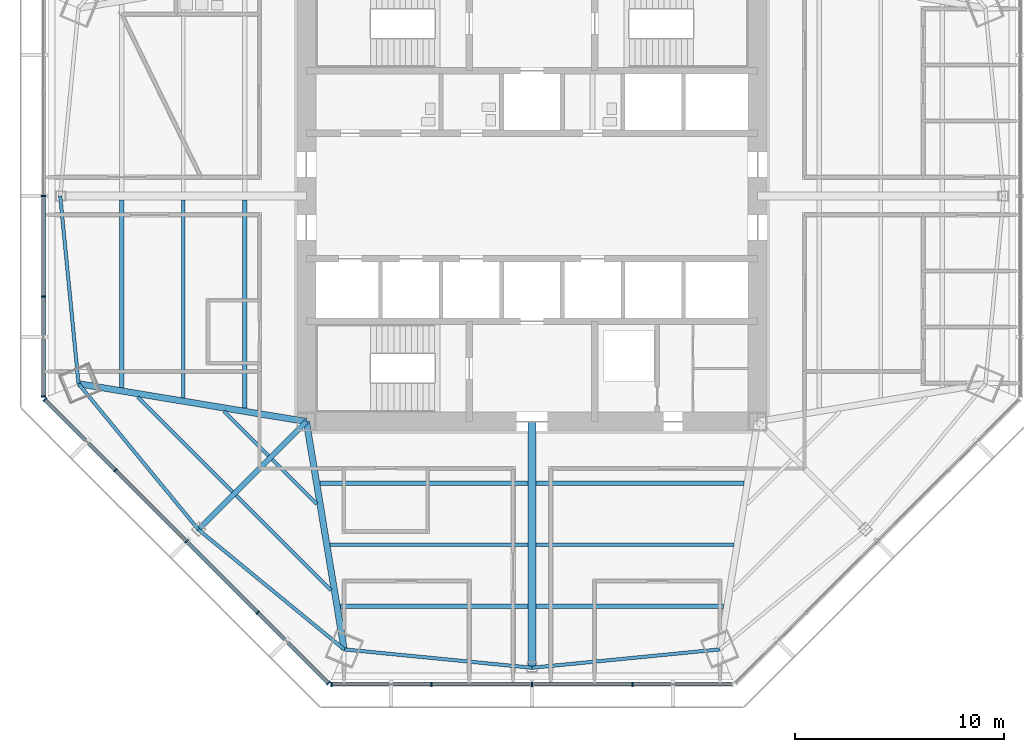
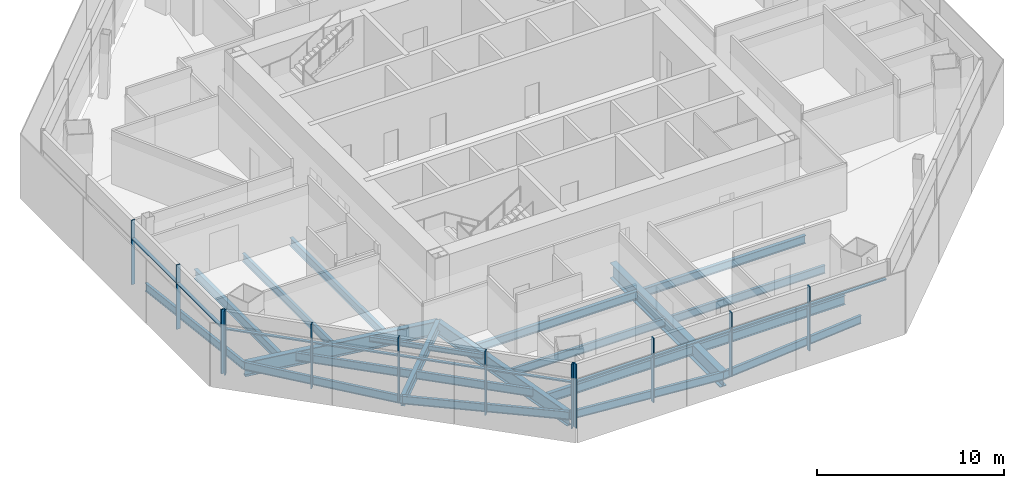
# One storey, part 2 of 15: 22 beams, 22 members, 3 elements without a shape of their own.
"""IFC4 building model written with IfcOpenShell, lengths in metres."""

from ifc_helpers import new_model, si_unit, direction, frame, origin, origin_2d, place, context, subcontext, project, spatial, rectangle, i_section, extrude, source, transform, mapped, material, material_profile, profile_set, type_object, type_shapes, element, aggregate, save


model = new_model("IFC4")

# Units and contexts
model_context = context("Model", 3, precision=1e-05, world=origin(), true_north=direction((0.0, 1.0)))
body_context = subcontext(model_context, "Body", "Model", "MODEL_VIEW")
ifc_project = project(units=[si_unit("LENGTHUNIT", "METRE"), si_unit("AREAUNIT", "SQUARE_METRE"), si_unit("VOLUMEUNIT", "CUBIC_METRE"), si_unit("PLANEANGLEUNIT", "RADIAN"), si_unit("MASSUNIT", "GRAM", prefix="KILO")], contexts=[model_context])

# Site, building, storey
site_placement = place(None, origin())
site = spatial("IfcSite", under=ifc_project, at=site_placement, CompositionType="ELEMENT")
building_placement = place(site_placement, origin())
building = spatial("IfcBuilding", under=site, at=building_placement, Name="Mashrafa Tower", CompositionType="ELEMENT")
storey_placement = place(building_placement, frame((0.0, 0.0, 163.800048828125)))
storey = spatial("IfcBuildingStorey", under=building, at=storey_placement, Name="L37", CompositionType="ELEMENT", Elevation=163.800048828125)

# Beams
ifc_material_1 = material(Name="Steel ASTM A992", Category="steel")
ifc_material_profile_1 = material_profile(ifc_material_1, i_section(OverallWidth=0.164794921875, OverallDepth=0.309814453125, WebThickness=0.005859375, FlangeThickness=0.009765625, FilletRadius=0.007568359375, at=origin_2d()), Name="W12X26")
ifc_profile_set_1 = profile_set([ifc_material_profile_1], Name="Steel ASTM A992")
beam_type_1 = type_object("IfcBeamType", Name="Beam W12X26", PredefinedType="BEAM", material=ifc_profile_set_1)
for number, where, z_axis, x_axis, name in (
    (1, (-12.6142578125, -12.432861328125, -0.320068359375), (-0.707066279037, 0.707147281016, 0.0), (-0.707147281016, -0.707066279037, 0.0), "Floor beam L37 011"),
    (2, (-10.301513671875, -14.745361328125, -0.320068359375), (-0.707147281016, 0.707066279037, 0.0), (-0.707066279037, -0.707147281016, 0.0), "Floor beam L37 014"),
):
    element("IfcBeam", number, at=place(storey_placement, frame(where, z_axis=z_axis, x_axis=x_axis)), inside=storey, type_object=beam_type_1, Name=name, PredefinedType="BEAM", context=body_context, shape_type="SweptSolid", body=[
        extrude(i_section(OverallWidth=0.164794921875, OverallDepth=0.309814453125, WebThickness=0.005859375, FlangeThickness=0.009765625, FilletRadius=0.007568359375, at=origin_2d()), origin(), (0.0, 0.0, 1.0), 3.013916015625),
    ])
ifc_material_2 = material(Name="Steel ASTM A992", Category="steel")
ifc_material_profile_2 = material_profile(ifc_material_2, i_section(OverallWidth=0.1650390625, OverallDepth=0.52587890625, WebThickness=0.0087890625, FlangeThickness=0.011474609375, FilletRadius=0.0126953125, at=origin_2d()), Name="W21X44")
ifc_profile_set_2 = profile_set([ifc_material_profile_2], Name="Steel ASTM A992")
beam_type_2 = type_object("IfcBeamType", Name="Beam W21X44", PredefinedType="BEAM", material=ifc_profile_set_2)
for number, where, z_axis, x_axis, name in (
    (3, (-14.337646484375, -14.15625, -0.427978515625), (-0.707106781187, 0.707106781187, 0.0), (-0.707106781187, -0.707106781187, 0.0), "Floor beam L37 007"),
    (4, (-9.616455078125, -18.87744140625, -0.427978515625), (-0.707106781187, 0.707106781187, 0.0), (-0.707106781187, -0.707106781187, 0.0), "Floor beam L37 016"),
):
    element("IfcBeam", number, at=place(storey_placement, frame(where, z_axis=z_axis, x_axis=x_axis)), inside=storey, type_object=beam_type_2, Name=name, PredefinedType="BEAM", context=body_context, shape_type="SweptSolid", body=[
        extrude(i_section(OverallWidth=0.1650390625, OverallDepth=0.52587890625, WebThickness=0.0087890625, FlangeThickness=0.011474609375, FilletRadius=0.0126953125, at=origin_2d()), origin(), (0.0, 0.0, 1.0), 6.420166015625),
    ])
beam_1_placement = place(storey_placement, frame((-22.585693359375, 0.0, -0.427978515625), z_axis=(0.097205081582, -0.995264372976, 0.0), x_axis=(0.995264372976, 0.097205081582, 0.0)))
element("IfcBeam", 5, at=beam_1_placement, inside=storey, type_object=beam_type_2, Name="Spandrel beam L37 057", PredefinedType="BEAM", context=body_context, shape_type="SweptSolid", body=[
    extrude(i_section(OverallWidth=0.1650390625, OverallDepth=0.52587890625, WebThickness=0.0087890625, FlangeThickness=0.011474609375, FilletRadius=0.0126953125, at=origin_2d()), origin(), (0.0, 0.0, 1.0), 9.0341796875),
])
for number, where, z_axis, x_axis, name in (
    (6, (-21.70751953125, -8.991455078125, -0.427978515625), (0.63502406297, -0.772492355592, 0.0), (0.772492355592, 0.63502406297, 0.0), "Spandrel beam L37 058"),
    (7, (-15.970458984375, -15.970458984375, -0.427978515625), (0.772492355592, -0.63502406297, 0.0), (0.63502406297, 0.772492355592, 0.0), "Spandrel beam L37 060"),
):
    element("IfcBeam", number, at=place(storey_placement, frame(where, z_axis=z_axis, x_axis=x_axis)), inside=storey, type_object=beam_type_2, Name=name, PredefinedType="BEAM", context=body_context, shape_type="SweptSolid", body=[
        extrude(i_section(OverallWidth=0.1650390625, OverallDepth=0.52587890625, WebThickness=0.0087890625, FlangeThickness=0.011474609375, FilletRadius=0.0126953125, at=origin_2d()), origin(), (0.0, 0.0, 1.0), 9.034423828125),
    ])
for number, where, z_axis, x_axis, name in (
    (8, (-8.991455078125, -21.70751953125, -0.427978515625), (0.995264372976, -0.097205081582, 0.0), (0.097205081582, 0.995264372976, 0.0), "Spandrel beam L37 062"),
    (9, (0.0, -22.585693359375, -0.427978515625), (0.995264372976, 0.097205081582, 0.0), (-0.097205081582, 0.995264372976, 0.0), "Spandrel beam L37 064"),
):
    element("IfcBeam", number, at=place(storey_placement, frame(where, z_axis=z_axis, x_axis=x_axis)), inside=storey, type_object=beam_type_2, Name=name, PredefinedType="BEAM", context=body_context, shape_type="SweptSolid", body=[
        extrude(i_section(OverallWidth=0.1650390625, OverallDepth=0.52587890625, WebThickness=0.0087890625, FlangeThickness=0.011474609375, FilletRadius=0.0126953125, at=origin_2d()), origin(), (0.0, 0.0, 1.0), 9.0341796875),
    ])
ifc_material_3 = material(Name="Steel ASTM A992", Category="steel")
ifc_material_profile_3 = material_profile(ifc_material_3, i_section(OverallWidth=0.165771484375, OverallDepth=0.5283203125, WebThickness=0.009765625, FlangeThickness=0.013671875, FilletRadius=0.012939453125, at=origin_2d()), Name="W21X50")
ifc_profile_set_3 = profile_set([ifc_material_profile_3], Name="Steel ASTM A992")
beam_type_3 = type_object("IfcBeamType", Name="Beam W21X50", PredefinedType="BEAM", material=ifc_profile_set_3)
for number, where, z_axis, x_axis, name in (
    (10, (-16.69287109375, -9.6669921875, -0.42919921875), (0.0, 1.0, 0.0), (-1.0, 0.0, 0.0), "Floor beam L37 004"),
    (11, (-0.20068359375, -16.69287109375, -0.42919921875), (-1.0, 0.0, 0.0), (0.0, -1.0, 0.0), "Floor beam L37 019"),
    (12, (9.6669921875, -16.69287109375, -0.42919921875), (-1.0, 0.0, 0.0), (0.0, -1.0, 0.0), "Floor beam L37 026"),
):
    element("IfcBeam", number, at=place(storey_placement, frame(where, z_axis=z_axis, x_axis=x_axis)), inside=storey, type_object=beam_type_3, Name=name, PredefinedType="BEAM", context=body_context, shape_type="SweptSolid", body=[
        extrude(i_section(OverallWidth=0.165771484375, OverallDepth=0.5283203125, WebThickness=0.009765625, FlangeThickness=0.013671875, FilletRadius=0.012939453125, at=origin_2d()), origin(), (0.0, 0.0, 1.0), 9.46630859375),
    ])
ifc_material_4 = material(Name="Steel ASTM A992", Category="steel")
ifc_material_profile_4 = material_profile(ifc_material_4, i_section(OverallWidth=0.209228515625, OverallDepth=0.533447265625, WebThickness=0.01025390625, FlangeThickness=0.015625, FilletRadius=0.012939453125, at=origin_2d()), Name="W21X62")
ifc_profile_set_4 = profile_set([ifc_material_profile_4], Name="Steel ASTM A992")
beam_type_4 = type_object("IfcBeamType", Name="Beam W21X62", PredefinedType="BEAM", material=ifc_profile_set_4)
for number, where, z_axis, x_axis, name in (
    (13, (-13.746337890625, -10.15576171875, -0.431640625), (0.0, 1.0, 0.0), (-1.0, 0.0, 0.0), "Floor beam L37 009"),
    (14, (-0.20068359375, -13.746337890625, -0.431640625), (-1.0, 0.0, 0.0), (0.0, -1.0, 0.0), "Floor beam L37 020"),
    (15, (10.15576171875, -13.746337890625, -0.431640625), (-1.0, 0.0, 0.0), (0.0, -1.0, 0.0), "Floor beam L37 028"),
):
    element("IfcBeam", number, at=place(storey_placement, frame(where, z_axis=z_axis, x_axis=x_axis)), inside=storey, type_object=beam_type_4, Name=name, PredefinedType="BEAM", context=body_context, shape_type="SweptSolid", body=[
        extrude(i_section(OverallWidth=0.209228515625, OverallDepth=0.533447265625, WebThickness=0.01025390625, FlangeThickness=0.015625, FilletRadius=0.012939453125, at=origin_2d()), origin(), (0.0, 0.0, 1.0), 9.955078125),
    ])
ifc_material_5 = material(Name="Steel ASTM A992", Category="steel")
ifc_material_profile_5 = material_profile(ifc_material_5, i_section(OverallWidth=0.227783203125, OverallDepth=0.60205078125, WebThickness=0.010498046875, FlangeThickness=0.014892578125, FilletRadius=0.012939453125, at=origin_2d()), Name="W24X68")
ifc_profile_set_5 = profile_set([ifc_material_profile_5], Name="Steel ASTM A992")
beam_type_5 = type_object("IfcBeamType", Name="Beam W24X68", PredefinedType="BEAM", material=ifc_profile_set_5)
for number, where, z_axis, x_axis, name in (
    (16, (-19.639404296875, -9.1787109375, -0.466064453125), (0.0, 1.0, 0.0), (-1.0, 0.0, 0.0), "Floor beam L37 001"),
    (17, (-0.20068359375, -19.639404296875, -0.466064453125), (-1.0, 0.0, 0.0), (0.0, -1.0, 0.0), "Floor beam L37 018"),
    (18, (9.1787109375, -19.639404296875, -0.466064453125), (-1.0, 0.0, 0.0), (0.0, -1.0, 0.0), "Floor beam L37 024"),
):
    element("IfcBeam", number, at=place(storey_placement, frame(where, z_axis=z_axis, x_axis=x_axis)), inside=storey, type_object=beam_type_5, Name=name, PredefinedType="BEAM", context=body_context, shape_type="SweptSolid", body=[
        extrude(i_section(OverallWidth=0.227783203125, OverallDepth=0.60205078125, WebThickness=0.010498046875, FlangeThickness=0.014892578125, FilletRadius=0.012939453125, at=origin_2d()), origin(), (0.0, 0.0, 1.0), 8.97802734375),
    ])
ifc_material_6 = material(Name="Steel ASTM A992", Category="steel")
ifc_material_profile_6 = material_profile(ifc_material_6, i_section(OverallWidth=0.256591796875, OverallDepth=0.693359375, WebThickness=0.014404296875, FlangeThickness=0.023681640625, FilletRadius=0.01513671875, at=origin_2d()), Name="W27X114")
ifc_profile_set_6 = profile_set([ifc_material_profile_6], Name="Steel ASTM A992")
beam_type_6 = type_object("IfcBeamType", Name="Beam W27X114", PredefinedType="BEAM", material=ifc_profile_set_6)
beam_2_placement = place(storey_placement, frame((-10.800048828125, -10.800048828125, -0.51171875), z_axis=(-0.707106781187, -0.707106781187, 0.0), x_axis=(0.707106781187, -0.707106781187, 0.0)))
element("IfcBeam", 19, at=beam_2_placement, inside=storey, type_object=beam_type_6, Name="Radial girder L37 042", PredefinedType="BEAM", context=body_context, shape_type="SweptSolid", body=[
    extrude(i_section(OverallWidth=0.256591796875, OverallDepth=0.693359375, WebThickness=0.014404296875, FlangeThickness=0.023681640625, FilletRadius=0.01513671875, at=origin_2d()), origin(), (0.0, 0.0, 1.0), 7.31201171875),
])
ifc_material_7 = material(Name="Steel ASTM A992", Category="steel")
ifc_material_profile_7 = material_profile(ifc_material_7, i_section(OverallWidth=0.307373046875, OverallDepth=0.927001953125, WebThickness=0.01953125, FlangeThickness=0.031982421875, FilletRadius=0.01904296875, at=origin_2d()), Name="W36X194")
ifc_profile_set_7 = profile_set([ifc_material_profile_7], Name="Steel ASTM A992")
beam_type_7 = type_object("IfcBeamType", Name="Beam W36X194", PredefinedType="BEAM", material=ifc_profile_set_7)
for number, where, z_axis, x_axis, name in (
    (20, (-10.800048828125, -10.800048828125, -0.628662109375), (-0.986530248897, 0.163578935108, 0.0), (-0.163578935108, -0.986530248897, 0.0), "Radial girder L37 041"),
    (21, (-10.800048828125, -10.800048828125, -0.628662109375), (0.163578935108, -0.986530248897, 0.0), (0.986530248897, 0.163578935108, 0.0), "Radial girder L37 043"),
):
    element("IfcBeam", number, at=place(storey_placement, frame(where, z_axis=z_axis, x_axis=x_axis)), inside=storey, type_object=beam_type_7, Name=name, PredefinedType="BEAM", context=body_context, shape_type="SweptSolid", body=[
        extrude(i_section(OverallWidth=0.307373046875, OverallDepth=0.927001953125, WebThickness=0.01953125, FlangeThickness=0.031982421875, FilletRadius=0.01904296875, at=origin_2d()), origin(), (0.0, 0.0, 1.0), 11.056396484375),
    ])
ifc_material_8 = material(Name="Steel ASTM A992", Category="steel")
ifc_material_profile_8 = material_profile(ifc_material_8, i_section(OverallWidth=0.4013671875, OverallDepth=1.010986328125, WebThickness=0.023681640625, FlangeThickness=0.0419921875, FilletRadius=0.02001953125, at=origin_2d()), Name="W40X297")
ifc_profile_set_8 = profile_set([ifc_material_profile_8], Name="Steel ASTM A992")
beam_type_8 = type_object("IfcBeamType", Name="Beam W40X297", PredefinedType="BEAM", material=ifc_profile_set_8)
beam_3_placement = place(storey_placement, frame((0.0, -10.800048828125, -0.67041015625), z_axis=(0.0, -1.0, 0.0), x_axis=(1.0, 0.0, 0.0)))
element("IfcBeam", 22, at=beam_3_placement, inside=storey, type_object=beam_type_8, Name="Radial girder L37 048", PredefinedType="BEAM", context=body_context, shape_type="SweptSolid", body=[
    extrude(i_section(OverallWidth=0.4013671875, OverallDepth=1.010986328125, WebThickness=0.023681640625, FlangeThickness=0.0419921875, FilletRadius=0.02001953125, at=origin_2d()), origin(), (0.0, 0.0, 1.0), 11.78564453125),
])

# Curtain wall, members
ifc_material_9 = material(Name="Unitised aluminium curtain wall", Category="aluminium")
curtain_wall_type = type_object("IfcCurtainWallType", Name="Office curtain wall, zone 2 CW-B 225 deep", PredefinedType="NOTDEFINED", material=ifc_material_9)
curtain_wall_1_placement = place(storey_placement, origin())
curtain_wall_1 = element("IfcCurtainWall", 23, at=curtain_wall_1_placement, inside=storey, type_object=curtain_wall_type, Name="Office curtain wall, zone 2 L37 west", PredefinedType="NOTDEFINED")
ifc_material_10 = material(Name="Extruded aluminium mullion", Category="aluminium")
ifc_material_profile_9 = material_profile(ifc_material_10, rectangle(XDim=0.22509765625, YDim=0.06494140625, at=origin_2d()), Name="Mullion 65x225")
ifc_profile_set_9 = profile_set([ifc_material_profile_9], Name="Extruded aluminium mullion")
member_type_1 = type_object("IfcMemberType", Name="Mullion CW-B 65 x 225", PredefinedType="MULLION", material=ifc_profile_set_9)
shared_shape_1 = source(origin(), body_context, "Body", "SweptSolid", [
    extrude(rectangle(XDim=0.22509765625, YDim=0.06494140625, at=origin_2d()), origin(), (0.0, 0.0, 1.0), 4.199951171875),
])
type_shapes(member_type_1, [shared_shape_1])
member_1_placement = place(storey_placement, frame((-23.381103515625, 0.0, 0.0), z_axis=(0.0, 0.0, 1.0), x_axis=(1.0, 0.0, 0.0)))
member_1 = element("IfcMember", 24, at=member_1_placement, type_object=member_type_1, Name="CW-B mullion 3", PredefinedType="MULLION", context=body_context, shape_type="MappedRepresentation", body=[
    mapped(shared_shape_1, transform((0.0, 0.0, 0.0))),
])
member_2_placement = place(storey_placement, frame((-23.381103515625, -4.81396484375, 0.0), z_axis=(0.0, 0.0, 1.0), x_axis=(1.0, 0.0, 0.0)))
member_2 = element("IfcMember", 25, at=member_2_placement, type_object=member_type_1, Name="CW-B mullion 4", PredefinedType="MULLION", context=body_context, shape_type="MappedRepresentation", body=[
    mapped(shared_shape_1, transform((0.0, 0.0, 0.0))),
])
member_3_placement = place(storey_placement, frame((-23.381103515625, -9.595703125, 0.0), z_axis=(0.0, 0.0, 1.0), x_axis=(1.0, 0.0, 0.0)))
member_3 = element("IfcMember", 26, at=member_3_placement, type_object=member_type_1, Name="CW-B mullion 5", PredefinedType="MULLION", context=body_context, shape_type="MappedRepresentation", body=[
    mapped(shared_shape_1, transform((0.0, 0.0, 0.0))),
])

curtain_wall_2_placement = place(storey_placement, origin())
curtain_wall_2 = element("IfcCurtainWall", 27, at=curtain_wall_2_placement, inside=storey, type_object=curtain_wall_type, Name="Office curtain wall, zone 2 L37 south-west", PredefinedType="NOTDEFINED")
member_4_placement = place(storey_placement, frame((-23.318115234375, -9.747802734375, 0.0), z_axis=(0.0, 0.0, 1.0), x_axis=(0.707106781187, 0.707106781187, 0.0)))
member_4 = element("IfcMember", 28, at=member_4_placement, type_object=member_type_1, Name="CW-B mullion 1", PredefinedType="MULLION", context=body_context, shape_type="MappedRepresentation", body=[
    mapped(shared_shape_1, transform((0.0, 0.0, 0.0))),
])
member_5_placement = place(storey_placement, frame((-19.93701171875, -13.12890625, 0.0), z_axis=(0.0, 0.0, 1.0), x_axis=(0.707106781187, 0.707106781187, 0.0)))
member_5 = element("IfcMember", 29, at=member_5_placement, type_object=member_type_1, Name="CW-B mullion 2", PredefinedType="MULLION", context=body_context, shape_type="MappedRepresentation", body=[
    mapped(shared_shape_1, transform((0.0, 0.0, 0.0))),
])
member_6_placement = place(storey_placement, frame((-16.532958984375, -16.532958984375, 0.0), z_axis=(0.0, 0.0, 1.0), x_axis=(0.707106781187, 0.707106781187, 0.0)))
member_6 = element("IfcMember", 30, at=member_6_placement, type_object=member_type_1, Name="CW-B mullion 3", PredefinedType="MULLION", context=body_context, shape_type="MappedRepresentation", body=[
    mapped(shared_shape_1, transform((0.0, 0.0, 0.0))),
])
member_7_placement = place(storey_placement, frame((-13.12890625, -19.93701171875, 0.0), z_axis=(0.0, 0.0, 1.0), x_axis=(0.707106781187, 0.707106781187, 0.0)))
member_7 = element("IfcMember", 31, at=member_7_placement, type_object=member_type_1, Name="CW-B mullion 4", PredefinedType="MULLION", context=body_context, shape_type="MappedRepresentation", body=[
    mapped(shared_shape_1, transform((0.0, 0.0, 0.0))),
])
member_8_placement = place(storey_placement, frame((-9.747802734375, -23.318115234375, 0.0), z_axis=(0.0, 0.0, 1.0), x_axis=(0.707106781187, 0.707106781187, 0.0)))
member_8 = element("IfcMember", 32, at=member_8_placement, type_object=member_type_1, Name="CW-B mullion 5", PredefinedType="MULLION", context=body_context, shape_type="MappedRepresentation", body=[
    mapped(shared_shape_1, transform((0.0, 0.0, 0.0))),
])

curtain_wall_3_placement = place(storey_placement, origin())
curtain_wall_3 = element("IfcCurtainWall", 33, at=curtain_wall_3_placement, inside=storey, type_object=curtain_wall_type, Name="Office curtain wall, zone 2 L37 south", PredefinedType="NOTDEFINED")
member_9_placement = place(storey_placement, frame((-9.595703125, -23.381103515625, 0.0), z_axis=(0.0, 0.0, 1.0), x_axis=(0.0, 1.0, 0.0)))
member_9 = element("IfcMember", 34, at=member_9_placement, type_object=member_type_1, Name="CW-B mullion 1", PredefinedType="MULLION", context=body_context, shape_type="MappedRepresentation", body=[
    mapped(shared_shape_1, transform((0.0, 0.0, 0.0))),
])
member_10_placement = place(storey_placement, frame((-4.81396484375, -23.381103515625, 0.0), z_axis=(0.0, 0.0, 1.0), x_axis=(0.0, 1.0, 0.0)))
member_10 = element("IfcMember", 35, at=member_10_placement, type_object=member_type_1, Name="CW-B mullion 2", PredefinedType="MULLION", context=body_context, shape_type="MappedRepresentation", body=[
    mapped(shared_shape_1, transform((0.0, 0.0, 0.0))),
])
member_11_placement = place(storey_placement, frame((0.0, -23.381103515625, 0.0), z_axis=(0.0, 0.0, 1.0), x_axis=(0.0, 1.0, 0.0)))
member_11 = element("IfcMember", 36, at=member_11_placement, type_object=member_type_1, Name="CW-B mullion 3", PredefinedType="MULLION", context=body_context, shape_type="MappedRepresentation", body=[
    mapped(shared_shape_1, transform((0.0, 0.0, 0.0))),
])
member_12_placement = place(storey_placement, frame((4.81396484375, -23.381103515625, 0.0), z_axis=(0.0, 0.0, 1.0), x_axis=(0.0, 1.0, 0.0)))
member_12 = element("IfcMember", 37, at=member_12_placement, type_object=member_type_1, Name="CW-B mullion 4", PredefinedType="MULLION", context=body_context, shape_type="MappedRepresentation", body=[
    mapped(shared_shape_1, transform((0.0, 0.0, 0.0))),
])

# Member
ifc_material_11 = material(Name="Extruded aluminium transom", Category="aluminium")
ifc_material_profile_10 = material_profile(ifc_material_11, rectangle(XDim=0.179931640625, YDim=0.080078125, at=origin_2d()), Name="Transom 80x180")
ifc_profile_set_10 = profile_set([ifc_material_profile_10], Name="Extruded aluminium transom")
member_type_2 = type_object("IfcMemberType", Name="Transom CW-B 80 x 180", PredefinedType="MULLION", material=ifc_profile_set_10)
shared_shape_2 = source(origin(), body_context, "Body", "SweptSolid", [
    extrude(rectangle(XDim=0.179931640625, YDim=0.080078125, at=origin_2d()), origin(), (0.0, 0.0, 1.0), 4.716552734375),
])
member_13_placement = place(storey_placement, frame((-23.381103515625, -4.8466796875, 3.0), z_axis=(0.0, -1.0, 0.0), x_axis=(1.0, 0.0, 0.0)))
member_13 = element("IfcMember", 38, at=member_13_placement, type_object=member_type_2, Name="CW-B transom 4", PredefinedType="MULLION", context=body_context, shape_type="MappedRepresentation", body=[
    mapped(shared_shape_2, transform((0.0, 0.0, 0.0))),
])

member_14_placement = place(storey_placement, frame((-9.563232421875, -23.381103515625, 3.0), z_axis=(1.0, 0.0, 0.0), x_axis=(0.0, 1.0, 0.0)))
member_14 = element("IfcMember", 39, at=member_14_placement, type_object=member_type_2, Name="CW-B transom 1", PredefinedType="MULLION", context=body_context, shape_type="MappedRepresentation", body=[
    mapped(shared_shape_2, transform((0.0, 0.0, 0.0))),
])

member_15_placement = place(storey_placement, frame((4.8466796875, -23.381103515625, 3.0), z_axis=(1.0, 0.0, 0.0), x_axis=(0.0, 1.0, 0.0)))
member_15 = element("IfcMember", 40, at=member_15_placement, type_object=member_type_2, Name="CW-B transom 4", PredefinedType="MULLION", context=body_context, shape_type="MappedRepresentation", body=[
    mapped(shared_shape_2, transform((0.0, 0.0, 0.0))),
])

shared_shape_3 = source(origin(), body_context, "Body", "SweptSolid", [
    extrude(rectangle(XDim=0.179931640625, YDim=0.080078125, at=origin_2d()), origin(), (0.0, 0.0, 1.0), 4.7490234375),
])
member_16_placement = place(storey_placement, frame((-23.381103515625, -0.032470703125, 3.0), z_axis=(0.0, -1.0, 0.0), x_axis=(1.0, 0.0, 0.0)))
member_16 = element("IfcMember", 41, at=member_16_placement, type_object=member_type_2, Name="CW-B transom 3", PredefinedType="MULLION", context=body_context, shape_type="MappedRepresentation", body=[
    mapped(shared_shape_3, transform((0.0, 0.0, 0.0))),
])

aggregate(curtain_wall_1, [member_1, member_2, member_3, member_16, member_13])

member_17_placement = place(storey_placement, frame((-4.781494140625, -23.381103515625, 3.0), z_axis=(1.0, 0.0, 0.0), x_axis=(0.0, 1.0, 0.0)))
member_17 = element("IfcMember", 42, at=member_17_placement, type_object=member_type_2, Name="CW-B transom 2", PredefinedType="MULLION", context=body_context, shape_type="MappedRepresentation", body=[
    mapped(shared_shape_3, transform((0.0, 0.0, 0.0))),
])

member_18_placement = place(storey_placement, frame((0.032470703125, -23.381103515625, 3.0), z_axis=(1.0, 0.0, 0.0), x_axis=(0.0, 1.0, 0.0)))
member_18 = element("IfcMember", 43, at=member_18_placement, type_object=member_type_2, Name="CW-B transom 3", PredefinedType="MULLION", context=body_context, shape_type="MappedRepresentation", body=[
    mapped(shared_shape_3, transform((0.0, 0.0, 0.0))),
])

aggregate(curtain_wall_3, [member_9, member_10, member_11, member_12, member_14, member_17, member_18, member_15])

shared_shape_4 = source(origin(), body_context, "Body", "SweptSolid", [
    extrude(rectangle(XDim=0.179931640625, YDim=0.080078125, at=origin_2d()), origin(), (0.0, 0.0, 1.0), 4.716796875),
])
member_19_placement = place(storey_placement, frame((-23.295166015625, -9.770751953125, 3.0), z_axis=(0.707106781187, -0.707106781187, 0.0), x_axis=(0.707106781187, 0.707106781187, 0.0)))
member_19 = element("IfcMember", 44, at=member_19_placement, type_object=member_type_2, Name="CW-B transom 1", PredefinedType="MULLION", context=body_context, shape_type="MappedRepresentation", body=[
    mapped(shared_shape_4, transform((0.0, 0.0, 0.0))),
])

member_20_placement = place(storey_placement, frame((-13.10595703125, -19.9599609375, 3.0), z_axis=(0.707106781187, -0.707106781187, 0.0), x_axis=(0.707106781187, 0.707106781187, 0.0)))
member_20 = element("IfcMember", 45, at=member_20_placement, type_object=member_type_2, Name="CW-B transom 4", PredefinedType="MULLION", context=body_context, shape_type="MappedRepresentation", body=[
    mapped(shared_shape_4, transform((0.0, 0.0, 0.0))),
])

shared_shape_5 = source(origin(), body_context, "Body", "SweptSolid", [
    extrude(rectangle(XDim=0.179931640625, YDim=0.080078125, at=origin_2d()), origin(), (0.0, 0.0, 1.0), 4.749267578125),
])
type_shapes(member_type_2, [shared_shape_2, shared_shape_3, shared_shape_4, shared_shape_5])
member_21_placement = place(storey_placement, frame((-19.9140625, -13.15185546875, 3.0), z_axis=(0.707106781187, -0.707106781187, 0.0), x_axis=(0.707106781187, 0.707106781187, 0.0)))
member_21 = element("IfcMember", 46, at=member_21_placement, type_object=member_type_2, Name="CW-B transom 2", PredefinedType="MULLION", context=body_context, shape_type="MappedRepresentation", body=[
    mapped(shared_shape_5, transform((0.0, 0.0, 0.0))),
])

member_22_placement = place(storey_placement, frame((-16.510009765625, -16.555908203125, 3.0), z_axis=(0.707106781187, -0.707106781187, 0.0), x_axis=(0.707106781187, 0.707106781187, 0.0)))
member_22 = element("IfcMember", 47, at=member_22_placement, type_object=member_type_2, Name="CW-B transom 3", PredefinedType="MULLION", context=body_context, shape_type="MappedRepresentation", body=[
    mapped(shared_shape_5, transform((0.0, 0.0, 0.0))),
])

aggregate(curtain_wall_2, [member_4, member_5, member_6, member_7, member_8, member_19, member_21, member_22, member_20])

save(model, "model.ifc")
